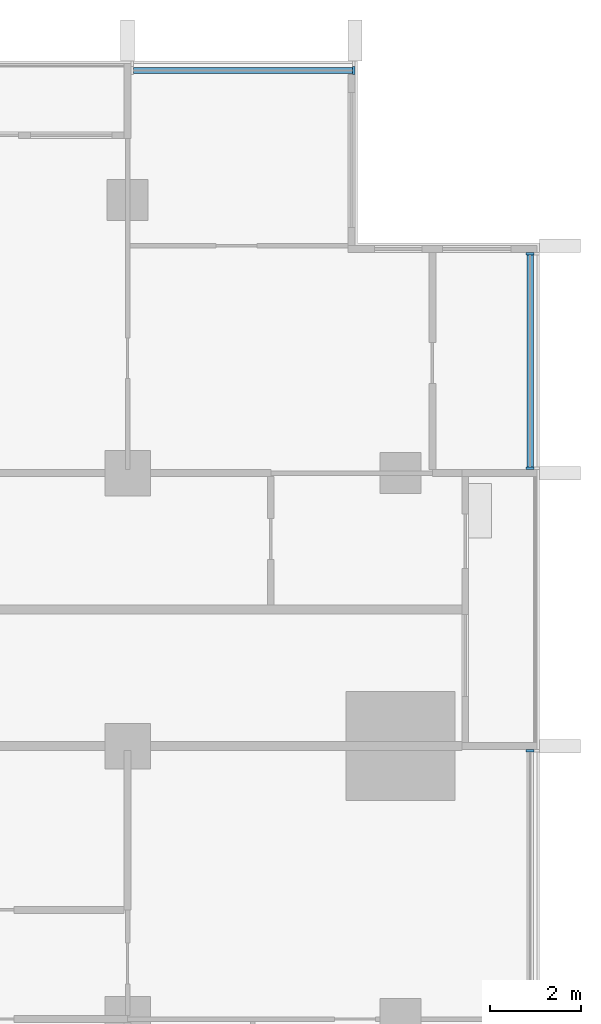
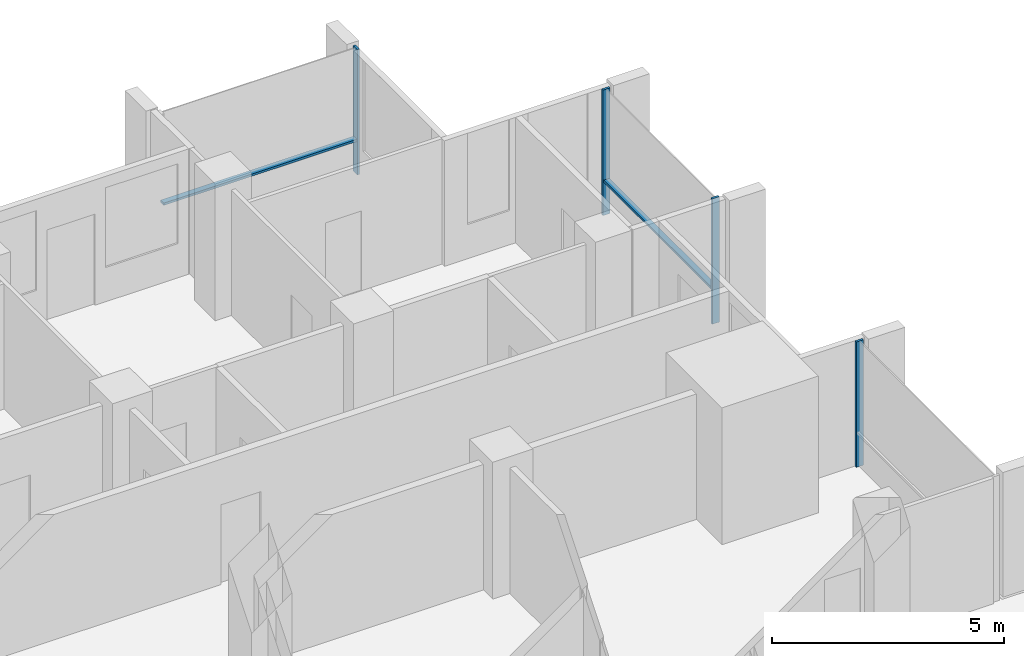
# One storey, part 5 of 17: 6 members, 3 elements without a shape of their own.
"""IFC4 building model written with IfcOpenShell, lengths in metres."""

from ifc_helpers import new_model, si_unit, direction, frame, origin, origin_2d, place, context, subcontext, project, spatial, rectangle, extrude, material, material_profile, profile_set, type_object, element, aggregate, save


model = new_model("IFC4")

# Units and contexts
model_context = context("Model", 3, precision=1e-05, world=origin(), true_north=direction((0.0, 1.0)))
body_context = subcontext(model_context, "Body", "Model", "MODEL_VIEW")
ifc_project = project(units=[si_unit("LENGTHUNIT", "METRE"), si_unit("AREAUNIT", "SQUARE_METRE"), si_unit("VOLUMEUNIT", "CUBIC_METRE"), si_unit("PLANEANGLEUNIT", "RADIAN"), si_unit("MASSUNIT", "GRAM", prefix="KILO")], contexts=[model_context])

# Site, building, storey
site_placement = place(None, origin())
site = spatial("IfcSite", under=ifc_project, at=site_placement, CompositionType="ELEMENT")
building_placement = place(site_placement, origin())
building = spatial("IfcBuilding", under=site, at=building_placement, Name="Finial Court Residences", CompositionType="ELEMENT")
storey_placement = place(building_placement, frame((0.0, 0.0, 170.89990234375)))
storey = spatial("IfcBuildingStorey", under=building, at=storey_placement, Name="L42", CompositionType="ELEMENT", Elevation=170.89990234375)

# Curtain wall, member
ifc_material = material(Name="Bronze anodised aluminium", Category="aluminium")
curtain_wall_type = type_object("IfcCurtainWallType", Name="Unitised curtain wall, upper zones", PredefinedType="NOTDEFINED", material=ifc_material)
curtain_wall_1_placement = place(storey_placement, origin())
curtain_wall_1 = element("IfcCurtainWall", 1, at=curtain_wall_1_placement, inside=storey, type_object=curtain_wall_type, Name="E-L42-CW-N3", PredefinedType="NOTDEFINED")
ifc_material_profile_1 = material_profile(ifc_material, rectangle(XDim=0.175048828125, YDim=0.06005859375, at=origin_2d()), Name="CW2 mullion 60 x 175")
ifc_profile_set_1 = profile_set([ifc_material_profile_1], Name="Bronze anodised aluminium")
member_type_1 = type_object("IfcMemberType", Name="CW2 mullion 60 x 175", PredefinedType="MULLION", material=ifc_profile_set_1)
member_1_placement = place(storey_placement, frame((15.469970703125, 22.35009765625, 0.0), z_axis=(0.0, 0.0, 1.0), x_axis=(0.0, 1.0, 0.0)))
member_1 = element("IfcMember", 2, at=member_1_placement, type_object=member_type_1, Name="CW2 mullion 2", PredefinedType="MULLION", context=body_context, shape_type="SweptSolid", body=[
    extrude(rectangle(XDim=0.175048828125, YDim=0.06005859375, at=origin_2d()), origin(), (0.0, 0.0, 1.0), 3.300048828125),
])

curtain_wall_2_placement = place(storey_placement, origin())
curtain_wall_2 = element("IfcCurtainWall", 3, at=curtain_wall_2_placement, inside=storey, type_object=curtain_wall_type, Name="E-L42-CW-E6", PredefinedType="NOTDEFINED")
member_2_placement = place(storey_placement, frame((19.35009765625, 7.39501953125, 0.0), z_axis=(0.0, 0.0, 1.0), x_axis=(-1.0, 0.0, 0.0)))
member_2 = element("IfcMember", 4, at=member_2_placement, type_object=member_type_1, Name="CW2 mullion 2", PredefinedType="MULLION", context=body_context, shape_type="SweptSolid", body=[
    extrude(rectangle(XDim=0.175048828125, YDim=0.06005859375, at=origin_2d()), origin(), (0.0, 0.0, 1.0), 3.300048828125),
])
aggregate(curtain_wall_2, [member_2])

# Curtain wall, members
curtain_wall_3_placement = place(storey_placement, origin())
curtain_wall_3 = element("IfcCurtainWall", 5, at=curtain_wall_3_placement, inside=storey, type_object=curtain_wall_type, Name="E-L42-CW-E7", PredefinedType="NOTDEFINED")
member_3_placement = place(storey_placement, frame((19.35009765625, 13.60498046875, 0.0), z_axis=(0.0, 0.0, 1.0), x_axis=(-1.0, 0.0, 0.0)))
member_3 = element("IfcMember", 6, at=member_3_placement, type_object=member_type_1, Name="CW2 mullion 1", PredefinedType="MULLION", context=body_context, shape_type="SweptSolid", body=[
    extrude(rectangle(XDim=0.175048828125, YDim=0.06005859375, at=origin_2d()), origin(), (0.0, 0.0, 1.0), 3.300048828125),
])
member_4_placement = place(storey_placement, frame((19.35009765625, 18.320068359375, 0.0), z_axis=(0.0, 0.0, 1.0), x_axis=(-1.0, 0.0, 0.0)))
member_4 = element("IfcMember", 7, at=member_4_placement, type_object=member_type_1, Name="CW2 mullion 2", PredefinedType="MULLION", context=body_context, shape_type="SweptSolid", body=[
    extrude(rectangle(XDim=0.175048828125, YDim=0.06005859375, at=origin_2d()), origin(), (0.0, 0.0, 1.0), 3.300048828125),
])

# Member
ifc_material_profile_2 = material_profile(ifc_material, rectangle(XDim=0.139892578125, YDim=0.06005859375, at=origin_2d()), Name="CW2 transom 60 x 140")
ifc_profile_set_2 = profile_set([ifc_material_profile_2], Name="Bronze anodised aluminium")
member_type_2 = type_object("IfcMemberType", Name="CW2 transom 60 x 140", PredefinedType="USERDEFINED", material=ifc_profile_set_2)
member_5_placement = place(storey_placement, frame((10.635009765625, 22.35009765625, 0.900146484375), z_axis=(1.0, 0.0, 0.0), x_axis=(0.0, 1.0, 0.0)))
member_5 = element("IfcMember", 8, at=member_5_placement, type_object=member_type_2, Name="CW2 transom 1.1", ObjectType="TRANSOM", PredefinedType="USERDEFINED", context=body_context, shape_type="SweptSolid", body=[
    extrude(rectangle(XDim=0.139892578125, YDim=0.06005859375, at=origin_2d()), origin(), (0.0, 0.0, 1.0), 4.804931640625),
])

aggregate(curtain_wall_1, [member_1, member_5])

member_6_placement = place(storey_placement, frame((19.35009765625, 13.635009765625, 0.900146484375), z_axis=(0.0, 1.0, 0.0), x_axis=(-1.0, 0.0, 0.0)))
member_6 = element("IfcMember", 9, at=member_6_placement, type_object=member_type_2, Name="CW2 transom 1.1", ObjectType="TRANSOM", PredefinedType="USERDEFINED", context=body_context, shape_type="SweptSolid", body=[
    extrude(rectangle(XDim=0.139892578125, YDim=0.06005859375, at=origin_2d()), origin(), (0.0, 0.0, 1.0), 4.655029296875),
])

aggregate(curtain_wall_3, [member_3, member_4, member_6])

save(model, "model.ifc")
